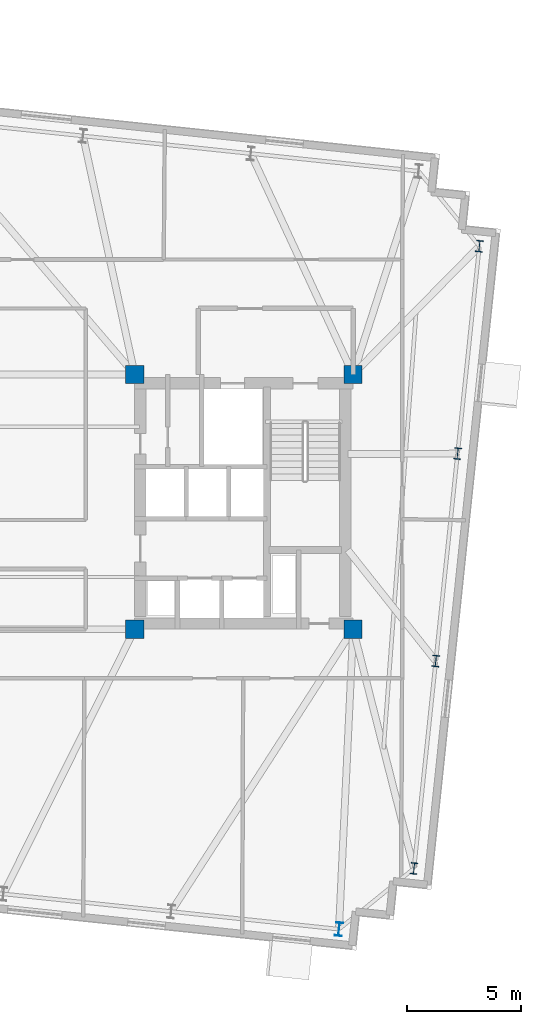
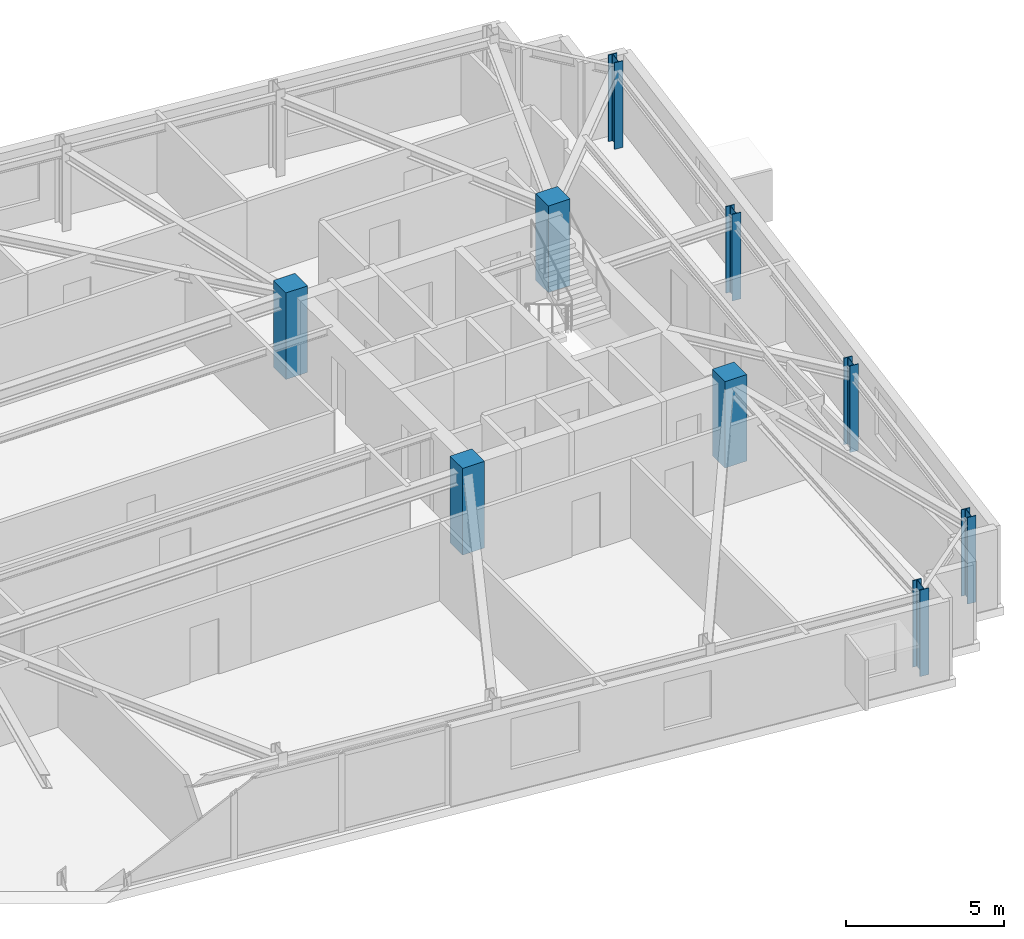
# One storey, part 2 of 12: 9 columns.
"""IFC4 building model written with IfcOpenShell, lengths in metres."""

from ifc_helpers import new_model, si_unit, direction, frame, origin, origin_2d, place, context, subcontext, project, spatial, rectangle, i_section, extrude, material, material_profile, profile_set, type_object, element, save


model = new_model("IFC4")

# Units and contexts
model_context = context("Model", 3, precision=1e-05, world=origin(), true_north=direction((0.0, 1.0)))
body_context = subcontext(model_context, "Body", "Model", "MODEL_VIEW")
ifc_project = project(units=[si_unit("LENGTHUNIT", "METRE"), si_unit("AREAUNIT", "SQUARE_METRE"), si_unit("VOLUMEUNIT", "CUBIC_METRE"), si_unit("PLANEANGLEUNIT", "RADIAN"), si_unit("MASSUNIT", "GRAM", prefix="KILO")], contexts=[model_context])

# Site, building, storey
site_placement = place(None, origin())
site = spatial("IfcSite", under=ifc_project, at=site_placement, CompositionType="ELEMENT")
building_placement = place(site_placement, origin())
building = spatial("IfcBuilding", under=site, at=building_placement, Name="Qobustan Lattice House", CompositionType="ELEMENT")
storey_placement = place(building_placement, frame((0.0, 0.0, 203.10009765625)))
storey = spatial("IfcBuildingStorey", under=building, at=storey_placement, Name="L57", CompositionType="ELEMENT", Elevation=203.10009765625)

# Columns
ifc_material_1 = material(Name="Concrete C50/60", Category="concrete")
ifc_material_profile_1 = material_profile(ifc_material_1, rectangle(XDim=0.800048828125, YDim=0.800048828125, at=origin_2d()), Name="RC800x800")
ifc_profile_set_1 = profile_set([ifc_material_profile_1], Name="Concrete C50/60")
column_type_1 = type_object("IfcColumnType", Name="COL-RC-800", PredefinedType="COLUMN", material=ifc_profile_set_1)
for number, where, z_axis, x_axis, name in (
    (1, (9.199951171875, -5.60009765625, 0.0), (0.0, 0.0, 1.0), (1.0, 0.0, 0.0), "L57 core mega-column CE-SW"),
    (2, (9.199951171875, 5.60009765625, 0.0), (0.0, 0.0, 1.0), (1.0, 0.0, 0.0), "L57 core mega-column CE-NW"),
    (3, (18.800048828125, -5.60009765625, 0.0), (0.0, 0.0, 1.0), (1.0, 0.0, 0.0), "L57 core mega-column CE-SE"),
    (4, (18.800048828125, 5.60009765625, 0.0), (0.0, 0.0, 1.0), (1.0, 0.0, 0.0), "L57 core mega-column CE-NE"),
):
    element("IfcColumn", number, at=place(storey_placement, frame(where, z_axis=z_axis, x_axis=x_axis)), inside=storey, type_object=column_type_1, Name=name, PredefinedType="COLUMN", context=body_context, shape_type="SweptSolid", body=[
        extrude(rectangle(XDim=0.800048828125, YDim=0.800048828125, at=origin_2d()), origin(), (0.0, 0.0, 1.0), 3.349853515625),
    ])
ifc_material_2 = material(Name="Steel S355", Category="steel")
ifc_material_profile_2 = material_profile(ifc_material_2, i_section(OverallWidth=0.300048828125, OverallDepth=0.5, WebThickness=0.014404296875, FlangeThickness=0.028076171875, FilletRadius=0.027099609375, at=origin_2d()), Name="HEB500")
ifc_profile_set_2 = profile_set([ifc_material_profile_2], Name="Steel S355")
column_type_2 = type_object("IfcColumnType", Name="COL-ST-HEB500", PredefinedType="COLUMN", material=ifc_profile_set_2)
for number, where, z_axis, x_axis, name in (
    (5, (21.474365234375, -16.114013671875, 0.0), (0.0, 0.0, 1.0), (0.994521895368, -0.104528463268, 0.0), "L57 B4 perimeter column E1"),
    (6, (22.4326171875, -6.99755859375, 0.0), (0.0, 0.0, 1.0), (0.994521895368, -0.104528463268, 0.0), "L57 B4 perimeter column E2"),
    (7, (23.390869140625, 2.118896484375, 0.0), (0.0, 0.0, 1.0), (0.994521895368, -0.104528463268, 0.0), "L57 B4 perimeter column E3"),
    (8, (24.348876953125, 11.2353515625, 0.0), (0.0, 0.0, 1.0), (0.994521895368, -0.104528463268, 0.0), "L57 B4 perimeter column E4"),
):
    element("IfcColumn", number, at=place(storey_placement, frame(where, z_axis=z_axis, x_axis=x_axis)), inside=storey, type_object=column_type_2, Name=name, PredefinedType="COLUMN", context=body_context, shape_type="SweptSolid", body=[
        extrude(i_section(OverallWidth=0.300048828125, OverallDepth=0.5, WebThickness=0.014404296875, FlangeThickness=0.028076171875, FilletRadius=0.027099609375, at=origin_2d()), origin(), (0.0, 0.0, 1.0), 3.349853515625),
    ])
ifc_material_3 = material(Name="Steel S355", Category="steel")
ifc_material_profile_3 = material_profile(ifc_material_3, i_section(OverallWidth=0.300048828125, OverallDepth=0.60009765625, WebThickness=0.015380859375, FlangeThickness=0.030029296875, FilletRadius=0.027099609375, at=origin_2d()), Name="HEB600")
ifc_profile_set_3 = profile_set([ifc_material_profile_3], Name="Steel S355")
column_type_3 = type_object("IfcColumnType", Name="COL-ST-HEB600", PredefinedType="COLUMN", material=ifc_profile_set_3)
column_placement = place(storey_placement, frame((18.17724609375, -18.783935546875, 0.0), z_axis=(0.0, 0.0, 1.0), x_axis=(0.994521895368, -0.104528463268, 0.0)))
element("IfcColumn", 9, at=column_placement, inside=storey, type_object=column_type_3, Name="L57 B4 perimeter column S7", PredefinedType="COLUMN", context=body_context, shape_type="SweptSolid", body=[
    extrude(i_section(OverallWidth=0.300048828125, OverallDepth=0.60009765625, WebThickness=0.015380859375, FlangeThickness=0.030029296875, FilletRadius=0.027099609375, at=origin_2d()), origin(), (0.0, 0.0, 1.0), 3.349853515625),
])

save(model, "model.ifc")
